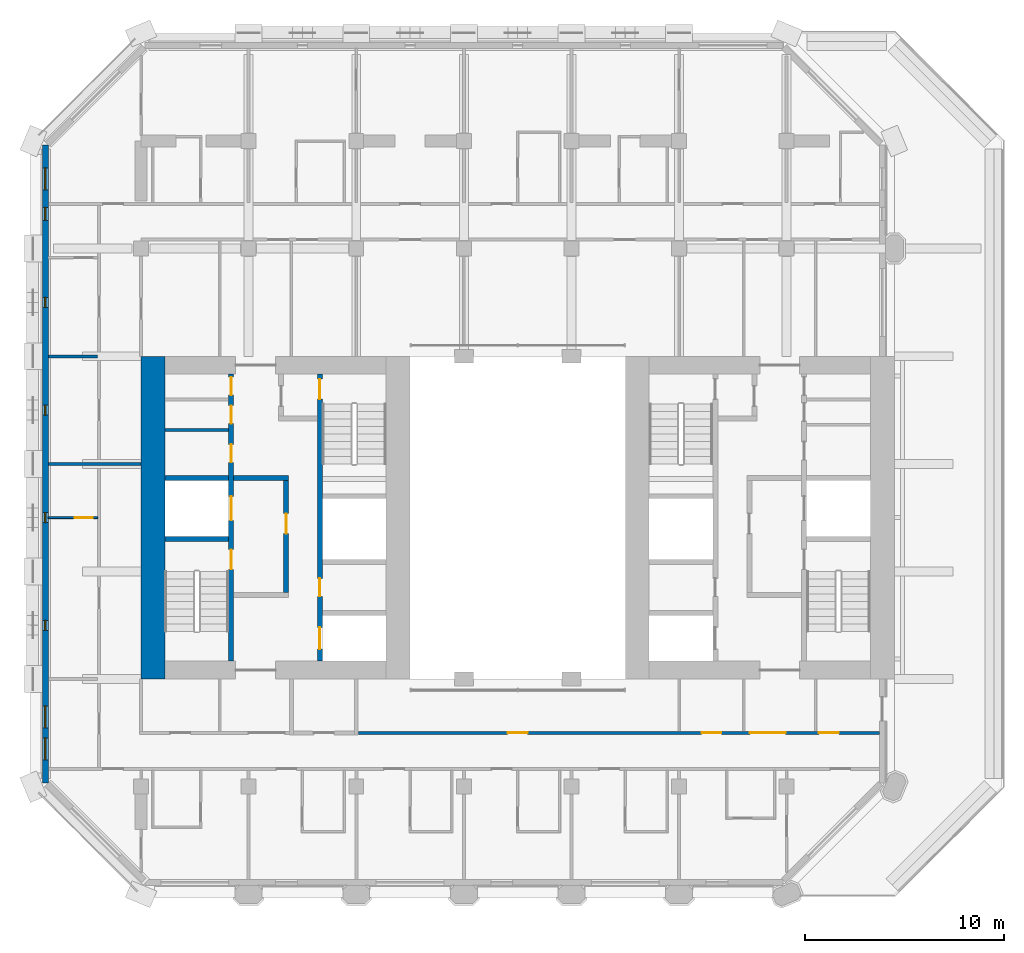
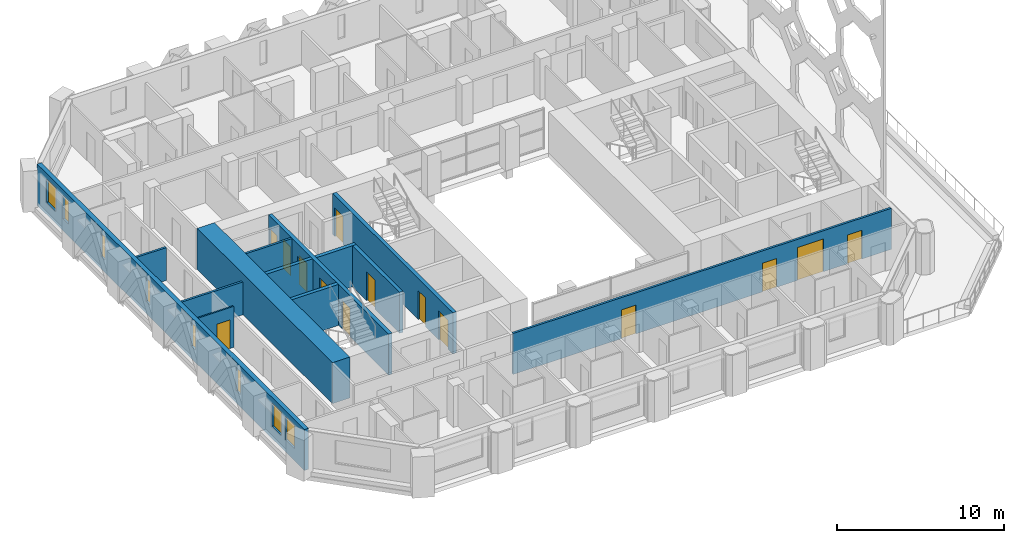
# One storey, part 8 of 15: 14 doors, 13 walls, 8 windows, 22 openings.
"""IFC4 building model written with IfcOpenShell, lengths in metres."""

from ifc_helpers import new_model, si_unit, direction, frame, frame_2d, origin, place, context, subcontext, project, spatial, rectangle, extrude, material, layer, layer_set, type_object, element, fill, save


model = new_model("IFC4")

# Units and contexts
model_context = context("Model", 3, precision=1e-05, world=origin(), true_north=direction((0.0, 1.0)))
body_context = subcontext(model_context, "Body", "Model", "MODEL_VIEW")
ifc_project = project(units=[si_unit("LENGTHUNIT", "METRE"), si_unit("AREAUNIT", "SQUARE_METRE"), si_unit("VOLUMEUNIT", "CUBIC_METRE"), si_unit("PLANEANGLEUNIT", "RADIAN"), si_unit("MASSUNIT", "GRAM", prefix="KILO")], contexts=[model_context])

# Site, building, storey
site_placement = place(None, origin())
site = spatial("IfcSite", under=ifc_project, at=site_placement, CompositionType="ELEMENT")
building_placement = place(site_placement, origin())
building = spatial("IfcBuilding", under=site, at=building_placement, Name="Tabaq Tower and Sports Hall", CompositionType="ELEMENT")
storey_placement = place(building_placement, frame((0.0, 0.0, 207.10009765625)))
storey = spatial("IfcBuildingStorey", under=building, at=storey_placement, Name="L51", CompositionType="ELEMENT", Elevation=207.10009765625)

# Walls
ifc_material_1 = material(Name="Blockwork", Category="masonry")
ifc_layer_1 = layer(ifc_material_1, 0.14990234375)
ifc_layer_set_1 = layer_set([ifc_layer_1], Name="Core room partition 150 Blockwork")
wall_type_1 = type_object("IfcWallType", Name="Core room partition 150 Blockwork", PredefinedType="PARTITIONING", material=ifc_layer_set_1)
wall_1_placement = place(storey_placement, frame((6.60009765625, 28.708984375, 0.0), z_axis=(0.0, 0.0, 1.0), x_axis=(1.0, 0.0, 0.0)))
element("IfcWall", 1, at=wall_1_placement, inside=storey, type_object=wall_type_1, Name="Core room partition W L51", PredefinedType="PARTITIONING", context=body_context, shape_type="SweptSolid", body=[
    extrude(rectangle(XDim=3.199951171875, YDim=0.14990234375, at=frame_2d((1.60009765625, 0.0))), origin(), (0.0, 0.0, 1.0), 3.0),
])
ifc_material_2 = material(Name="Concrete C50/60", Category="concrete")
ifc_layer_2 = layer(ifc_material_2, 1.199951171875)
ifc_layer_set_2 = layer_set([ifc_layer_2], Name="Core wall 1200 Concrete C50/60")
wall_type_2 = type_object("IfcWallType", Name="Core wall 1200 Concrete C50/60", PredefinedType="SOLIDWALL", material=ifc_layer_set_2)
wall_2_placement = place(storey_placement, frame((6.0, 16.199951171875, 0.0), z_axis=(0.0, 0.0, 1.0), x_axis=(0.0, 1.0, 0.0)))
element("IfcWall", 2, at=wall_2_placement, inside=storey, type_object=wall_type_2, Name="Core wall W L51", PredefinedType="SOLIDWALL", context=body_context, shape_type="SweptSolid", body=[
    extrude(rectangle(XDim=16.199951171875, YDim=1.199951171875, at=frame_2d((8.10009765625, 0.0))), origin(), (0.0, 0.0, 1.0), 3.0),
])

# Wall, opening, door
ifc_material_3 = material(Name="Gypsum board on steel studs", Category="steel")
ifc_layer_3 = layer(ifc_material_3, 0.10009765625)
ifc_layer_set_3 = layer_set([ifc_layer_3], Name="Partition 100 Gypsum board")
wall_type_3 = type_object("IfcWallType", Name="Partition 100 Gypsum board", PredefinedType="PARTITIONING", material=ifc_layer_set_3)
wall_3_placement = place(storey_placement, frame((3.22509765625, 24.300048828125, 0.0), z_axis=(0.0, 0.0, 1.0), x_axis=(-1.0, 0.0, 0.0)))
wall_3 = element("IfcWall", 3, at=wall_3_placement, inside=storey, type_object=wall_type_3, Name="Partition wall L51", PredefinedType="PARTITIONING", context=body_context, shape_type="SweptSolid", body=[
    extrude(rectangle(XDim=2.47412109375, YDim=0.10009765625, at=frame_2d((1.237060546875, 0.0))), origin(), (0.0, 0.0, 1.0), 3.0),
])
opening_1_placement = place(wall_3_placement, frame((0.25, 0.0, 0.0)))
opening_1 = element("IfcOpeningElement", 4, at=opening_1_placement, cuts=wall_3, Name="Opening L51-022", PredefinedType="OPENING", context=body_context, shape_type="SweptSolid", body=[
    extrude(rectangle(XDim=0.89990234375, YDim=2.10009765625, at=frame_2d((0.449951171875, 1.050048828125))), frame((0.0, 0.050048828125, 0.0), z_axis=(0.0, -1.0, 0.0), x_axis=(1.0, 0.0, 0.0)), (0.0, 0.0, 1.0), 0.10009765625),
])
ifc_material_4 = material(Name="Timber leaf in steel frame", Category="steel")
door_type_1 = type_object("IfcDoorType", Name="Internal door 900 right hand", OperationType="SINGLE_SWING_RIGHT", PredefinedType="DOOR", material=ifc_material_4)
door_1_placement = place(opening_1_placement, origin())
door_1 = element("IfcDoor", 5, at=door_1_placement, inside=storey, type_object=door_type_1, Name="Internal door L51-022", OperationType="SINGLE_SWING_RIGHT", OverallHeight=2.10009765625, OverallWidth=0.89990234375, PredefinedType="DOOR", context=body_context, shape_type="SweptSolid", body=[
    extrude(rectangle(XDim=0.89990234375, YDim=2.10009765625, at=frame_2d((0.449951171875, 1.050048828125))), frame((0.0, 0.02490234375, 0.0), z_axis=(0.0, -1.0, 0.0), x_axis=(1.0, 0.0, 0.0)), (0.0, 0.0, 1.0), 0.050048828125),
])
fill(opening_1, door_1)

# Walls
ifc_material_5 = material(Name="Blockwork", Category="masonry")
ifc_layer_4 = layer(ifc_material_5, 0.14990234375)
ifc_layer_set_4 = layer_set([ifc_layer_4], Name="Separating wall 150 Blockwork")
wall_type_4 = type_object("IfcWallType", Name="Separating wall 150 Blockwork", PredefinedType="PARTITIONING", material=ifc_layer_set_4)
wall_4_placement = place(storey_placement, frame((0.7509765625, 32.39990234375, 0.0), z_axis=(0.0, 0.0, 1.0), x_axis=(1.0, 0.0, 0.0)))
element("IfcWall", 6, at=wall_4_placement, inside=storey, type_object=wall_type_4, Name="Separating wall L51", PredefinedType="PARTITIONING", context=body_context, shape_type="SweptSolid", body=[
    extrude(rectangle(XDim=2.47412109375, YDim=0.14990234375, at=frame_2d((1.237060546875, 0.0))), origin(), (0.0, 0.0, 1.0), 2.39990234375),
])
wall_5_placement = place(storey_placement, frame((0.7509765625, 27.0, 0.0), z_axis=(0.0, 0.0, 1.0), x_axis=(1.0, 0.0, 0.0)))
element("IfcWall", 7, at=wall_5_placement, inside=storey, type_object=wall_type_4, Name="Separating wall L51", PredefinedType="PARTITIONING", context=body_context, shape_type="SweptSolid", body=[
    extrude(rectangle(XDim=4.64892578125, YDim=0.14990234375, at=frame_2d((2.324462890625, 0.0))), origin(), (0.0, 0.0, 1.0), 2.39990234375),
])

# Wall, openings, doors
wall_6_placement = place(storey_placement, frame((16.300048828125, 13.5, 0.0), z_axis=(0.0, 0.0, 1.0), x_axis=(1.0, 0.0, 0.0)))
wall_6 = element("IfcWall", 8, at=wall_6_placement, inside=storey, type_object=wall_type_4, Name="Separating wall L51", PredefinedType="PARTITIONING", context=body_context, shape_type="SweptSolid", body=[
    extrude(rectangle(XDim=26.14892578125, YDim=0.14990234375, at=frame_2d((13.074462890625, 0.0))), origin(), (0.0, 0.0, 1.0), 3.0),
])
opening_2_placement = place(wall_6_placement, frame((7.5, 0.0, 0.0)))
opening_2 = element("IfcOpeningElement", 9, at=opening_2_placement, cuts=wall_6, Name="Opening L51-021", PredefinedType="OPENING", context=body_context, shape_type="SweptSolid", body=[
    extrude(rectangle(XDim=1.0, YDim=2.10009765625, at=frame_2d((0.5, 1.050048828125))), frame((0.0, 0.074951171875, 0.0), z_axis=(0.0, -1.0, 0.0), x_axis=(1.0, 0.0, 0.0)), (0.0, 0.0, 1.0), 0.14990234375),
])
opening_3_placement = place(wall_6_placement, frame((23.1201171875, 0.0, 0.0)))
opening_3 = element("IfcOpeningElement", 10, at=opening_3_placement, cuts=wall_6, Name="Opening L51-023", PredefinedType="OPENING", context=body_context, shape_type="SweptSolid", body=[
    extrude(rectangle(XDim=1.0, YDim=2.10009765625, at=frame_2d((0.5, 1.050048828125))), frame((0.0, 0.074951171875, 0.0), z_axis=(0.0, -1.0, 0.0), x_axis=(1.0, 0.0, 0.0)), (0.0, 0.0, 1.0), 0.14990234375),
])
opening_4_placement = place(wall_6_placement, frame((17.22509765625, 0.0, 0.0)))
opening_4 = element("IfcOpeningElement", 11, at=opening_4_placement, cuts=wall_6, Name="Opening L51-026", PredefinedType="OPENING", context=body_context, shape_type="SweptSolid", body=[
    extrude(rectangle(XDim=1.0, YDim=2.10009765625, at=frame_2d((0.5, 1.050048828125))), frame((0.0, 0.074951171875, 0.0), z_axis=(0.0, -1.0, 0.0), x_axis=(1.0, 0.0, 0.0)), (0.0, 0.0, 1.0), 0.14990234375),
])
opening_5_placement = place(wall_6_placement, frame((19.64990234375, 0.0, 0.0)))
opening_5 = element("IfcOpeningElement", 12, at=opening_5_placement, cuts=wall_6, Name="Opening L51-045", PredefinedType="OPENING", context=body_context, shape_type="SweptSolid", body=[
    extrude(rectangle(XDim=1.800048828125, YDim=2.39990234375, at=frame_2d((0.89990234375, 1.199951171875))), frame((0.0, 0.074951171875, 0.0), z_axis=(0.0, -1.0, 0.0), x_axis=(1.0, 0.0, 0.0)), (0.0, 0.0, 1.0), 0.14990234375),
])
ifc_material_6 = material(Name="Timber leaf in steel frame", Category="steel")
door_type_2 = type_object("IfcDoorType", Name="Internal door 1000 left hand", OperationType="SINGLE_SWING_LEFT", PredefinedType="DOOR", material=ifc_material_6)
door_2_placement = place(opening_2_placement, origin())
door_2 = element("IfcDoor", 13, at=door_2_placement, inside=storey, type_object=door_type_2, Name="Internal door L51-021", OperationType="SINGLE_SWING_LEFT", OverallHeight=2.10009765625, OverallWidth=1.0, PredefinedType="DOOR", context=body_context, shape_type="SweptSolid", body=[
    extrude(rectangle(XDim=1.0, YDim=2.10009765625, at=frame_2d((0.5, 1.050048828125))), frame((0.0, 0.02490234375, 0.0), z_axis=(0.0, -1.0, 0.0), x_axis=(1.0, 0.0, 0.0)), (0.0, 0.0, 1.0), 0.050048828125),
])
fill(opening_2, door_2)
door_3_placement = place(opening_4_placement, origin())
door_3 = element("IfcDoor", 14, at=door_3_placement, inside=storey, type_object=door_type_2, Name="Internal door L51-026", OperationType="SINGLE_SWING_LEFT", OverallHeight=2.10009765625, OverallWidth=1.0, PredefinedType="DOOR", context=body_context, shape_type="SweptSolid", body=[
    extrude(rectangle(XDim=1.0, YDim=2.10009765625, at=frame_2d((0.5, 1.050048828125))), frame((0.0, 0.02490234375, 0.0), z_axis=(0.0, -1.0, 0.0), x_axis=(1.0, 0.0, 0.0)), (0.0, 0.0, 1.0), 0.050048828125),
])
fill(opening_4, door_3)
ifc_material_7 = material(Name="Timber leaf in steel frame", Category="steel")
door_type_3 = type_object("IfcDoorType", Name="Internal door 1000 right hand", OperationType="SINGLE_SWING_RIGHT", PredefinedType="DOOR", material=ifc_material_7)
door_4_placement = place(opening_3_placement, origin())
door_4 = element("IfcDoor", 15, at=door_4_placement, inside=storey, type_object=door_type_3, Name="Internal door L51-023", OperationType="SINGLE_SWING_RIGHT", OverallHeight=2.10009765625, OverallWidth=1.0, PredefinedType="DOOR", context=body_context, shape_type="SweptSolid", body=[
    extrude(rectangle(XDim=1.0, YDim=2.10009765625, at=frame_2d((0.5, 1.050048828125))), frame((0.0, 0.02490234375, 0.0), z_axis=(0.0, -1.0, 0.0), x_axis=(1.0, 0.0, 0.0)), (0.0, 0.0, 1.0), 0.050048828125),
])
fill(opening_3, door_4)
ifc_material_8 = material(Name="Timber leaf in steel frame", Category="steel")
door_type_4 = type_object("IfcDoorType", Name="Internal door 1800", OperationType="DOUBLE_DOOR_SINGLE_SWING", PredefinedType="DOOR", material=ifc_material_8)
door_5_placement = place(opening_5_placement, origin())
door_5 = element("IfcDoor", 16, at=door_5_placement, inside=storey, type_object=door_type_4, Name="Internal door L51-045", OperationType="DOUBLE_DOOR_SINGLE_SWING", OverallHeight=2.39990234375, OverallWidth=1.800048828125, PredefinedType="DOOR", context=body_context, shape_type="SweptSolid", body=[
    extrude(rectangle(XDim=1.800048828125, YDim=2.39990234375, at=frame_2d((0.89990234375, 1.199951171875))), frame((0.0, 0.02490234375, 0.0), z_axis=(0.0, -1.0, 0.0), x_axis=(1.0, 0.0, 0.0)), (0.0, 0.0, 1.0), 0.050048828125),
])
fill(opening_5, door_5)

ifc_material_9 = material(Name="Concrete C40/50", Category="concrete")
ifc_layer_5 = layer(ifc_material_9, 0.25)
ifc_layer_set_5 = layer_set([ifc_layer_5], Name="Shaft and stair wall 250 Concrete C40/50")
wall_type_5 = type_object("IfcWallType", Name="Shaft and stair wall 250 Concrete C40/50", PredefinedType="SOLIDWALL", material=ifc_layer_set_5)
wall_7_placement = place(storey_placement, frame((9.925048828125, 17.10009765625, 0.0), z_axis=(0.0, 0.0, 1.0), x_axis=(0.0, 1.0, 0.0)))
wall_7 = element("IfcWall", 17, at=wall_7_placement, inside=storey, type_object=wall_type_5, Name="Shaft wall W L51", PredefinedType="SOLIDWALL", context=body_context, shape_type="SweptSolid", body=[
    extrude(rectangle(XDim=14.39990234375, YDim=0.25, at=frame_2d((7.199951171875, 0.0))), origin(), (0.0, 0.0, 1.0), 3.0),
])
opening_6_placement = place(wall_7_placement, frame((4.60009765625, 0.0, 0.0)))
opening_6 = element("IfcOpeningElement", 18, at=opening_6_placement, cuts=wall_7, Name="Opening SD-WL51-03", PredefinedType="OPENING", context=body_context, shape_type="SweptSolid", body=[
    extrude(rectangle(XDim=1.0, YDim=2.10009765625, at=frame_2d((0.5, 1.050048828125))), frame((0.0, 0.125, 0.0), z_axis=(0.0, -1.0, 0.0), x_axis=(1.0, 0.0, 0.0)), (0.0, 0.0, 1.0), 0.25),
])
opening_7_placement = place(wall_7_placement, frame((7.0625, 0.0, 0.0)))
opening_7 = element("IfcOpeningElement", 19, at=opening_7_placement, cuts=wall_7, Name="Opening LD-FF1-L51", PredefinedType="OPENING", context=body_context, shape_type="SweptSolid", body=[
    extrude(rectangle(XDim=1.199951171875, YDim=2.10009765625, at=frame_2d((0.60009765625, 1.050048828125))), frame((0.0, 0.125, 0.0), z_axis=(0.0, -1.0, 0.0), x_axis=(1.0, 0.0, 0.0)), (0.0, 0.0, 1.0), 0.25),
])
opening_8_placement = place(wall_7_placement, frame((9.9794921875, 0.0, 0.0)))
opening_8 = element("IfcOpeningElement", 20, at=opening_8_placement, cuts=wall_7, Name="Opening RD-WL51-09", PredefinedType="OPENING", context=body_context, shape_type="SweptSolid", body=[
    extrude(rectangle(XDim=0.89990234375, YDim=2.10009765625, at=frame_2d((0.449951171875, 1.050048828125))), frame((0.0, 0.125, 0.0), z_axis=(0.0, -1.0, 0.0), x_axis=(1.0, 0.0, 0.0)), (0.0, 0.0, 1.0), 0.25),
])
opening_9_placement = place(wall_7_placement, frame((11.92041015625, 0.0, 0.0)))
opening_9 = element("IfcOpeningElement", 21, at=opening_9_placement, cuts=wall_7, Name="Opening RD-WL51-10", PredefinedType="OPENING", context=body_context, shape_type="SweptSolid", body=[
    extrude(rectangle(XDim=0.89990234375, YDim=2.10009765625, at=frame_2d((0.449951171875, 1.050048828125))), frame((0.0, 0.125, 0.0), z_axis=(0.0, -1.0, 0.0), x_axis=(1.0, 0.0, 0.0)), (0.0, 0.0, 1.0), 0.25),
])
opening_10_placement = place(wall_7_placement, frame((13.353515625, 0.0, 0.0)))
opening_10 = element("IfcOpeningElement", 22, at=opening_10_placement, cuts=wall_7, Name="Opening RD-WL51-11", PredefinedType="OPENING", context=body_context, shape_type="SweptSolid", body=[
    extrude(rectangle(XDim=0.89990234375, YDim=2.10009765625, at=frame_2d((0.449951171875, 1.050048828125))), frame((0.0, 0.125, 0.0), z_axis=(0.0, -1.0, 0.0), x_axis=(1.0, 0.0, 0.0)), (0.0, 0.0, 1.0), 0.25),
])
ifc_material_10 = material(Name="Steel fire door", Category="steel")
door_type_5 = type_object("IfcDoorType", Name="Core room door 900", OperationType="SINGLE_SWING_LEFT", PredefinedType="DOOR", material=ifc_material_10)
door_6_placement = place(opening_8_placement, origin())
door_6 = element("IfcDoor", 23, at=door_6_placement, inside=storey, type_object=door_type_5, Name="Door Unisex WC W L51", OperationType="SINGLE_SWING_LEFT", OverallHeight=2.10009765625, OverallWidth=0.89990234375, PredefinedType="DOOR", context=body_context, shape_type="SweptSolid", body=[
    extrude(rectangle(XDim=0.89990234375, YDim=2.10009765625, at=frame_2d((0.449951171875, 1.050048828125))), frame((0.0, 0.02490234375, 0.0), z_axis=(0.0, -1.0, 0.0), x_axis=(1.0, 0.0, 0.0)), (0.0, 0.0, 1.0), 0.050048828125),
])
fill(opening_8, door_6)
door_7_placement = place(opening_9_placement, origin())
door_7 = element("IfcDoor", 24, at=door_7_placement, inside=storey, type_object=door_type_5, Name="Door Accessible WC W L51", OperationType="SINGLE_SWING_LEFT", OverallHeight=2.10009765625, OverallWidth=0.89990234375, PredefinedType="DOOR", context=body_context, shape_type="SweptSolid", body=[
    extrude(rectangle(XDim=0.89990234375, YDim=2.10009765625, at=frame_2d((0.449951171875, 1.050048828125))), frame((0.0, 0.02490234375, 0.0), z_axis=(0.0, -1.0, 0.0), x_axis=(1.0, 0.0, 0.0)), (0.0, 0.0, 1.0), 0.050048828125),
])
fill(opening_9, door_7)
door_8_placement = place(opening_10_placement, origin())
door_8 = element("IfcDoor", 25, at=door_8_placement, inside=storey, type_object=door_type_5, Name="Door Electrical Riser Room W L51", OperationType="SINGLE_SWING_LEFT", OverallHeight=2.10009765625, OverallWidth=0.89990234375, PredefinedType="DOOR", context=body_context, shape_type="SweptSolid", body=[
    extrude(rectangle(XDim=0.89990234375, YDim=2.10009765625, at=frame_2d((0.449951171875, 1.050048828125))), frame((0.0, 0.02490234375, 0.0), z_axis=(0.0, -1.0, 0.0), x_axis=(1.0, 0.0, 0.0)), (0.0, 0.0, 1.0), 0.050048828125),
])
fill(opening_10, door_8)
ifc_material_11 = material(Name="Stainless steel", Category="steel")
door_type_6 = type_object("IfcDoorType", Name="Lift landing door 1200", OperationType="DOUBLE_DOOR_SLIDING", PredefinedType="DOOR", material=ifc_material_11)
door_9_placement = place(opening_7_placement, origin())
door_9 = element("IfcDoor", 26, at=door_9_placement, inside=storey, type_object=door_type_6, Name="Lift landing door FF1 W L51", OperationType="DOUBLE_DOOR_SLIDING", OverallHeight=2.10009765625, OverallWidth=1.199951171875, PredefinedType="DOOR", context=body_context, shape_type="SweptSolid", body=[
    extrude(rectangle(XDim=1.199951171875, YDim=2.10009765625, at=frame_2d((0.60009765625, 1.050048828125))), frame((0.0, 0.02490234375, 0.0), z_axis=(0.0, -1.0, 0.0), x_axis=(1.0, 0.0, 0.0)), (0.0, 0.0, 1.0), 0.050048828125),
])
fill(opening_7, door_9)
ifc_material_12 = material(Name="Steel fire door", Category="steel")
door_type_7 = type_object("IfcDoorType", Name="Stair door 1000", OperationType="SINGLE_SWING_LEFT", PredefinedType="DOOR", material=ifc_material_12)
door_10_placement = place(opening_6_placement, origin())
door_10 = element("IfcDoor", 27, at=door_10_placement, inside=storey, type_object=door_type_7, Name="Stair door ST1 W L51", OperationType="SINGLE_SWING_LEFT", OverallHeight=2.10009765625, OverallWidth=1.0, PredefinedType="DOOR", context=body_context, shape_type="SweptSolid", body=[
    extrude(rectangle(XDim=1.0, YDim=2.10009765625, at=frame_2d((0.5, 1.050048828125))), frame((0.0, 0.02490234375, 0.0), z_axis=(0.0, -1.0, 0.0), x_axis=(1.0, 0.0, 0.0)), (0.0, 0.0, 1.0), 0.050048828125),
])
fill(opening_6, door_10)

wall_8_placement = place(storey_placement, frame((14.375, 17.10009765625, 0.0), z_axis=(0.0, 0.0, 1.0), x_axis=(0.0, 1.0, 0.0)))
wall_8 = element("IfcWall", 28, at=wall_8_placement, inside=storey, type_object=wall_type_5, Name="Shaft wall W L51", PredefinedType="SOLIDWALL", context=body_context, shape_type="SweptSolid", body=[
    extrude(rectangle(XDim=14.39990234375, YDim=0.25, at=frame_2d((7.199951171875, 0.0))), origin(), (0.0, 0.0, 1.0), 3.0),
])
opening_11_placement = place(wall_8_placement, frame((13.14990234375, 0.0, 0.0)))
opening_11 = element("IfcOpeningElement", 29, at=opening_11_placement, cuts=wall_8, Name="Opening SD-WL51-05", PredefinedType="OPENING", context=body_context, shape_type="SweptSolid", body=[
    extrude(rectangle(XDim=1.0, YDim=2.10009765625, at=frame_2d((0.5, 1.050048828125))), frame((0.0, 0.125, 0.0), z_axis=(0.0, -1.0, 0.0), x_axis=(1.0, 0.0, 0.0)), (0.0, 0.0, 1.0), 0.25),
])
opening_12_placement = place(wall_8_placement, frame((0.60009765625, 0.0, 0.0)))
opening_12 = element("IfcOpeningElement", 30, at=opening_12_placement, cuts=wall_8, Name="Opening LD-MR1-L51", PredefinedType="OPENING", context=body_context, shape_type="SweptSolid", body=[
    extrude(rectangle(XDim=1.10009765625, YDim=2.10009765625, at=frame_2d((0.550048828125, 1.050048828125))), frame((0.0, 0.125, 0.0), z_axis=(0.0, -1.0, 0.0), x_axis=(1.0, 0.0, 0.0)), (0.0, 0.0, 1.0), 0.25),
])
opening_13_placement = place(wall_8_placement, frame((3.25, 0.0, 0.0)))
opening_13 = element("IfcOpeningElement", 31, at=opening_13_placement, cuts=wall_8, Name="Opening RD-WL51-12", PredefinedType="OPENING", context=body_context, shape_type="SweptSolid", body=[
    extrude(rectangle(XDim=0.89990234375, YDim=2.10009765625, at=frame_2d((0.449951171875, 1.050048828125))), frame((0.0, 0.125, 0.0), z_axis=(0.0, -1.0, 0.0), x_axis=(1.0, 0.0, 0.0)), (0.0, 0.0, 1.0), 0.25),
])
door_11_placement = place(opening_13_placement, origin())
door_11 = element("IfcDoor", 32, at=door_11_placement, inside=storey, type_object=door_type_5, Name="Door Cleaner's Store W L51", OperationType="SINGLE_SWING_LEFT", OverallHeight=2.10009765625, OverallWidth=0.89990234375, PredefinedType="DOOR", context=body_context, shape_type="SweptSolid", body=[
    extrude(rectangle(XDim=0.89990234375, YDim=2.10009765625, at=frame_2d((0.449951171875, 1.050048828125))), frame((0.0, 0.02490234375, 0.0), z_axis=(0.0, -1.0, 0.0), x_axis=(1.0, 0.0, 0.0)), (0.0, 0.0, 1.0), 0.050048828125),
])
fill(opening_13, door_11)
ifc_material_13 = material(Name="Stainless steel", Category="steel")
door_type_8 = type_object("IfcDoorType", Name="Lift landing door 1100", OperationType="DOUBLE_DOOR_SLIDING", PredefinedType="DOOR", material=ifc_material_13)
door_12_placement = place(opening_12_placement, origin())
door_12 = element("IfcDoor", 33, at=door_12_placement, inside=storey, type_object=door_type_8, Name="Lift landing door MR1 W L51", OperationType="DOUBLE_DOOR_SLIDING", OverallHeight=2.10009765625, OverallWidth=1.10009765625, PredefinedType="DOOR", context=body_context, shape_type="SweptSolid", body=[
    extrude(rectangle(XDim=1.10009765625, YDim=2.10009765625, at=frame_2d((0.550048828125, 1.050048828125))), frame((0.0, 0.02490234375, 0.0), z_axis=(0.0, -1.0, 0.0), x_axis=(1.0, 0.0, 0.0)), (0.0, 0.0, 1.0), 0.050048828125),
])
fill(opening_12, door_12)
door_13_placement = place(opening_11_placement, origin())
door_13 = element("IfcDoor", 34, at=door_13_placement, inside=storey, type_object=door_type_7, Name="Stair door ST2 W L51", OperationType="SINGLE_SWING_LEFT", OverallHeight=2.10009765625, OverallWidth=1.0, PredefinedType="DOOR", context=body_context, shape_type="SweptSolid", body=[
    extrude(rectangle(XDim=1.0, YDim=2.10009765625, at=frame_2d((0.5, 1.050048828125))), frame((0.0, 0.02490234375, 0.0), z_axis=(0.0, -1.0, 0.0), x_axis=(1.0, 0.0, 0.0)), (0.0, 0.0, 1.0), 0.050048828125),
])
fill(opening_11, door_13)

# Walls
for number, where, z_axis, x_axis, name in (
    (35, (6.60009765625, 23.22509765625, 0.0), (0.0, 0.0, 1.0), (1.0, 0.0, 0.0), "Stair enclosure wall W L51"),
    (36, (6.60009765625, 26.300048828125, 0.0), (0.0, 0.0, 1.0), (1.0, 0.0, 0.0), "Shaft wall W L51"),
):
    element("IfcWall", number, at=place(storey_placement, frame(where, z_axis=z_axis, x_axis=x_axis)), inside=storey, type_object=wall_type_5, Name=name, PredefinedType="SOLIDWALL", context=body_context, shape_type="SweptSolid", body=[
        extrude(rectangle(XDim=3.199951171875, YDim=0.25, at=frame_2d((1.60009765625, 0.0))), origin(), (0.0, 0.0, 1.0), 3.0),
    ])
wall_9_placement = place(storey_placement, frame((10.050048828125, 26.300048828125, 0.0), z_axis=(0.0, 0.0, 1.0), x_axis=(1.0, 0.0, 0.0)))
element("IfcWall", 37, at=wall_9_placement, inside=storey, type_object=wall_type_5, Name="Fire-fighting lobby wall W L51", PredefinedType="SOLIDWALL", context=body_context, shape_type="SweptSolid", body=[
    extrude(rectangle(XDim=2.75, YDim=0.25, at=frame_2d((1.375, 0.0))), origin(), (0.0, 0.0, 1.0), 3.0),
])

# Wall, opening, door
wall_10_placement = place(storey_placement, frame((12.675048828125, 20.550048828125, 0.0), z_axis=(0.0, 0.0, 1.0), x_axis=(0.0, 1.0, 0.0)))
wall_10 = element("IfcWall", 38, at=wall_10_placement, inside=storey, type_object=wall_type_5, Name="Fire-fighting lobby wall W L51", PredefinedType="SOLIDWALL", context=body_context, shape_type="SweptSolid", body=[
    extrude(rectangle(XDim=5.625, YDim=0.25, at=frame_2d((2.8125, 0.0))), origin(), (0.0, 0.0, 1.0), 3.0),
])
opening_14_placement = place(wall_10_placement, frame((2.949951171875, 0.0, 0.0)))
opening_14 = element("IfcOpeningElement", 39, at=opening_14_placement, cuts=wall_10, Name="Opening FD-WL51-04", PredefinedType="OPENING", context=body_context, shape_type="SweptSolid", body=[
    extrude(rectangle(XDim=1.0, YDim=2.10009765625, at=frame_2d((0.5, 1.050048828125))), frame((0.0, 0.125, 0.0), z_axis=(0.0, -1.0, 0.0), x_axis=(1.0, 0.0, 0.0)), (0.0, 0.0, 1.0), 0.25),
])
ifc_material_14 = material(Name="Steel fire door", Category="steel")
door_type_9 = type_object("IfcDoorType", Name="Fire-fighting lobby door 1000", OperationType="SINGLE_SWING_LEFT", PredefinedType="DOOR", material=ifc_material_14)
door_14_placement = place(opening_14_placement, origin())
door_14 = element("IfcDoor", 40, at=door_14_placement, inside=storey, type_object=door_type_9, Name="Fire-fighting lobby door W L51", OperationType="SINGLE_SWING_LEFT", OverallHeight=2.10009765625, OverallWidth=1.0, PredefinedType="DOOR", context=body_context, shape_type="SweptSolid", body=[
    extrude(rectangle(XDim=1.0, YDim=2.10009765625, at=frame_2d((0.5, 1.050048828125))), frame((0.0, 0.02490234375, 0.0), z_axis=(0.0, -1.0, 0.0), x_axis=(1.0, 0.0, 0.0)), (0.0, 0.0, 1.0), 0.050048828125),
])
fill(opening_14, door_14)

# Wall, openings, windows
ifc_material_15 = material(Name="White precast concrete C60/75", Category="concrete")
ifc_layer_6 = layer(ifc_material_15, 0.300048828125)
ifc_layer_set_6 = layer_set([ifc_layer_6], Name="White precast concrete C60/75 external wall 300")
wall_type_6 = type_object("IfcWallType", Name="White precast concrete C60/75 external wall 300", PredefinedType="SOLIDWALL", material=ifc_layer_set_6)
wall_11_placement = place(storey_placement, frame((0.60009765625, 43.013671875, 0.0), z_axis=(0.0, 0.0, 1.0), x_axis=(0.0, -1.0, 0.0)))
wall_11 = element("IfcWall", 41, at=wall_11_placement, inside=storey, type_object=wall_type_6, Name="External Wall L51 W", PredefinedType="SOLIDWALL", context=body_context, shape_type="SweptSolid", body=[
    extrude(rectangle(XDim=32.02734375, YDim=0.300048828125, at=frame_2d((16.013671875, 0.0))), origin(), (0.0, 0.0, 1.0), 3.0),
])
opening_15_placement = place(wall_11_placement, frame((1.16357421875, 0.0, 0.89990234375)))
opening_15 = element("IfcOpeningElement", 42, at=opening_15_placement, cuts=wall_11, Name="Opening W1B", PredefinedType="OPENING", context=body_context, shape_type="SweptSolid", body=[
    extrude(rectangle(XDim=1.10009765625, YDim=1.699951171875, at=frame_2d((0.550048828125, 0.85009765625))), frame((0.0, 0.16015625, 0.0), z_axis=(0.0, -1.0, 0.0), x_axis=(1.0, 0.0, 0.0)), (0.0, 0.0, 1.0), 0.320068359375),
])
opening_16_placement = place(wall_11_placement, frame((3.138671875, 0.0, 0.89990234375)))
opening_16 = element("IfcOpeningElement", 43, at=opening_16_placement, cuts=wall_11, Name="Opening W1C", PredefinedType="OPENING", context=body_context, shape_type="SweptSolid", body=[
    extrude(rectangle(XDim=0.64990234375, YDim=1.699951171875, at=frame_2d((0.324951171875, 0.85009765625))), frame((0.0, 0.16015625, 0.0), z_axis=(0.0, -1.0, 0.0), x_axis=(1.0, 0.0, 0.0)), (0.0, 0.0, 1.0), 0.320068359375),
])
opening_17_placement = place(wall_11_placement, frame((7.66357421875, 0.0, 0.89990234375)))
opening_17 = element("IfcOpeningElement", 44, at=opening_17_placement, cuts=wall_11, Name="Opening W1E", PredefinedType="OPENING", context=body_context, shape_type="SweptSolid", body=[
    extrude(rectangle(XDim=0.5, YDim=1.699951171875, at=frame_2d((0.25, 0.85009765625))), frame((0.0, 0.16015625, 0.0), z_axis=(0.0, -1.0, 0.0), x_axis=(1.0, 0.0, 0.0)), (0.0, 0.0, 1.0), 0.320068359375),
])
opening_18_placement = place(wall_11_placement, frame((13.063720703125, 0.0, 0.89990234375)))
opening_18 = element("IfcOpeningElement", 45, at=opening_18_placement, cuts=wall_11, Name="Opening W1E", PredefinedType="OPENING", context=body_context, shape_type="SweptSolid", body=[
    extrude(rectangle(XDim=0.5, YDim=1.699951171875, at=frame_2d((0.25, 0.85009765625))), frame((0.0, 0.16015625, 0.0), z_axis=(0.0, -1.0, 0.0), x_axis=(1.0, 0.0, 0.0)), (0.0, 0.0, 1.0), 0.320068359375),
])
opening_19_placement = place(wall_11_placement, frame((18.463623046875, 0.0, 0.89990234375)))
opening_19 = element("IfcOpeningElement", 46, at=opening_19_placement, cuts=wall_11, Name="Opening W1E", PredefinedType="OPENING", context=body_context, shape_type="SweptSolid", body=[
    extrude(rectangle(XDim=0.5, YDim=1.699951171875, at=frame_2d((0.25, 0.85009765625))), frame((0.0, 0.16015625, 0.0), z_axis=(0.0, -1.0, 0.0), x_axis=(1.0, 0.0, 0.0)), (0.0, 0.0, 1.0), 0.320068359375),
])
opening_20_placement = place(wall_11_placement, frame((23.863525390625, 0.0, 0.89990234375)))
opening_20 = element("IfcOpeningElement", 47, at=opening_20_placement, cuts=wall_11, Name="Opening W1E", PredefinedType="OPENING", context=body_context, shape_type="SweptSolid", body=[
    extrude(rectangle(XDim=0.5, YDim=1.699951171875, at=frame_2d((0.25, 0.85009765625))), frame((0.0, 0.16015625, 0.0), z_axis=(0.0, -1.0, 0.0), x_axis=(1.0, 0.0, 0.0)), (0.0, 0.0, 1.0), 0.320068359375),
])
opening_21_placement = place(wall_11_placement, frame((28.16357421875, 0.0, 0.89990234375)))
opening_21 = element("IfcOpeningElement", 48, at=opening_21_placement, cuts=wall_11, Name="Opening W1B", PredefinedType="OPENING", context=body_context, shape_type="SweptSolid", body=[
    extrude(rectangle(XDim=1.10009765625, YDim=1.699951171875, at=frame_2d((0.550048828125, 0.85009765625))), frame((0.0, 0.16015625, 0.0), z_axis=(0.0, -1.0, 0.0), x_axis=(1.0, 0.0, 0.0)), (0.0, 0.0, 1.0), 0.320068359375),
])
opening_22_placement = place(wall_11_placement, frame((29.763671875, 0.0, 0.89990234375)))
opening_22 = element("IfcOpeningElement", 49, at=opening_22_placement, cuts=wall_11, Name="Opening W1B", PredefinedType="OPENING", context=body_context, shape_type="SweptSolid", body=[
    extrude(rectangle(XDim=1.10009765625, YDim=1.699951171875, at=frame_2d((0.550048828125, 0.85009765625))), frame((0.0, 0.16015625, 0.0), z_axis=(0.0, -1.0, 0.0), x_axis=(1.0, 0.0, 0.0)), (0.0, 0.0, 1.0), 0.320068359375),
])
ifc_material_16 = material(Name="Aluminium framed clear glazing", Category="aluminium")
window_type_1 = type_object("IfcWindowType", Name="Window W1B", PartitioningType="SINGLE_PANEL", PredefinedType="WINDOW", material=ifc_material_16)
window_1_placement = place(opening_15_placement, origin())
window_1 = element("IfcWindow", 50, at=window_1_placement, inside=storey, type_object=window_type_1, Name="Window W1B L51", OverallHeight=1.699951171875, OverallWidth=1.10009765625, PartitioningType="SINGLE_PANEL", PredefinedType="WINDOW", context=body_context, shape_type="SweptSolid", body=[
    extrude(rectangle(XDim=1.10009765625, YDim=1.699951171875, at=frame_2d((0.550048828125, 0.85009765625))), frame((0.0, 0.030029296875, 0.0), z_axis=(0.0, -1.0, 0.0), x_axis=(1.0, 0.0, 0.0)), (0.0, 0.0, 1.0), 0.06005859375),
])
fill(opening_15, window_1)
window_2_placement = place(opening_21_placement, origin())
window_2 = element("IfcWindow", 51, at=window_2_placement, inside=storey, type_object=window_type_1, Name="Window W1B L51", OverallHeight=1.699951171875, OverallWidth=1.10009765625, PartitioningType="SINGLE_PANEL", PredefinedType="WINDOW", context=body_context, shape_type="SweptSolid", body=[
    extrude(rectangle(XDim=1.10009765625, YDim=1.699951171875, at=frame_2d((0.550048828125, 0.85009765625))), frame((0.0, 0.030029296875, 0.0), z_axis=(0.0, -1.0, 0.0), x_axis=(1.0, 0.0, 0.0)), (0.0, 0.0, 1.0), 0.06005859375),
])
fill(opening_21, window_2)
window_3_placement = place(opening_22_placement, origin())
window_3 = element("IfcWindow", 52, at=window_3_placement, inside=storey, type_object=window_type_1, Name="Window W1B L51", OverallHeight=1.699951171875, OverallWidth=1.10009765625, PartitioningType="SINGLE_PANEL", PredefinedType="WINDOW", context=body_context, shape_type="SweptSolid", body=[
    extrude(rectangle(XDim=1.10009765625, YDim=1.699951171875, at=frame_2d((0.550048828125, 0.85009765625))), frame((0.0, 0.030029296875, 0.0), z_axis=(0.0, -1.0, 0.0), x_axis=(1.0, 0.0, 0.0)), (0.0, 0.0, 1.0), 0.06005859375),
])
fill(opening_22, window_3)
ifc_material_17 = material(Name="Aluminium framed clear glazing", Category="aluminium")
window_type_2 = type_object("IfcWindowType", Name="Window W1C", PartitioningType="SINGLE_PANEL", PredefinedType="WINDOW", material=ifc_material_17)
window_4_placement = place(opening_16_placement, origin())
window_4 = element("IfcWindow", 53, at=window_4_placement, inside=storey, type_object=window_type_2, Name="Window W1C L51", OverallHeight=1.699951171875, OverallWidth=0.64990234375, PartitioningType="SINGLE_PANEL", PredefinedType="WINDOW", context=body_context, shape_type="SweptSolid", body=[
    extrude(rectangle(XDim=0.64990234375, YDim=1.699951171875, at=frame_2d((0.324951171875, 0.85009765625))), frame((0.0, 0.030029296875, 0.0), z_axis=(0.0, -1.0, 0.0), x_axis=(1.0, 0.0, 0.0)), (0.0, 0.0, 1.0), 0.06005859375),
])
fill(opening_16, window_4)
ifc_material_18 = material(Name="Aluminium framed clear glazing", Category="aluminium")
window_type_3 = type_object("IfcWindowType", Name="Window W1E", PartitioningType="SINGLE_PANEL", PredefinedType="WINDOW", material=ifc_material_18)
window_5_placement = place(opening_17_placement, origin())
window_5 = element("IfcWindow", 54, at=window_5_placement, inside=storey, type_object=window_type_3, Name="Window W1E L51", OverallHeight=1.699951171875, OverallWidth=0.5, PartitioningType="SINGLE_PANEL", PredefinedType="WINDOW", context=body_context, shape_type="SweptSolid", body=[
    extrude(rectangle(XDim=0.5, YDim=1.699951171875, at=frame_2d((0.25, 0.85009765625))), frame((0.0, 0.030029296875, 0.0), z_axis=(0.0, -1.0, 0.0), x_axis=(1.0, 0.0, 0.0)), (0.0, 0.0, 1.0), 0.06005859375),
])
fill(opening_17, window_5)
window_6_placement = place(opening_18_placement, origin())
window_6 = element("IfcWindow", 55, at=window_6_placement, inside=storey, type_object=window_type_3, Name="Window W1E L51", OverallHeight=1.699951171875, OverallWidth=0.5, PartitioningType="SINGLE_PANEL", PredefinedType="WINDOW", context=body_context, shape_type="SweptSolid", body=[
    extrude(rectangle(XDim=0.5, YDim=1.699951171875, at=frame_2d((0.25, 0.85009765625))), frame((0.0, 0.030029296875, 0.0), z_axis=(0.0, -1.0, 0.0), x_axis=(1.0, 0.0, 0.0)), (0.0, 0.0, 1.0), 0.06005859375),
])
fill(opening_18, window_6)
window_7_placement = place(opening_19_placement, origin())
window_7 = element("IfcWindow", 56, at=window_7_placement, inside=storey, type_object=window_type_3, Name="Window W1E L51", OverallHeight=1.699951171875, OverallWidth=0.5, PartitioningType="SINGLE_PANEL", PredefinedType="WINDOW", context=body_context, shape_type="SweptSolid", body=[
    extrude(rectangle(XDim=0.5, YDim=1.699951171875, at=frame_2d((0.25, 0.85009765625))), frame((0.0, 0.030029296875, 0.0), z_axis=(0.0, -1.0, 0.0), x_axis=(1.0, 0.0, 0.0)), (0.0, 0.0, 1.0), 0.06005859375),
])
fill(opening_19, window_7)
window_8_placement = place(opening_20_placement, origin())
window_8 = element("IfcWindow", 57, at=window_8_placement, inside=storey, type_object=window_type_3, Name="Window W1E L51", OverallHeight=1.699951171875, OverallWidth=0.5, PartitioningType="SINGLE_PANEL", PredefinedType="WINDOW", context=body_context, shape_type="SweptSolid", body=[
    extrude(rectangle(XDim=0.5, YDim=1.699951171875, at=frame_2d((0.25, 0.85009765625))), frame((0.0, 0.030029296875, 0.0), z_axis=(0.0, -1.0, 0.0), x_axis=(1.0, 0.0, 0.0)), (0.0, 0.0, 1.0), 0.06005859375),
])
fill(opening_20, window_8)

save(model, "model.ifc")
